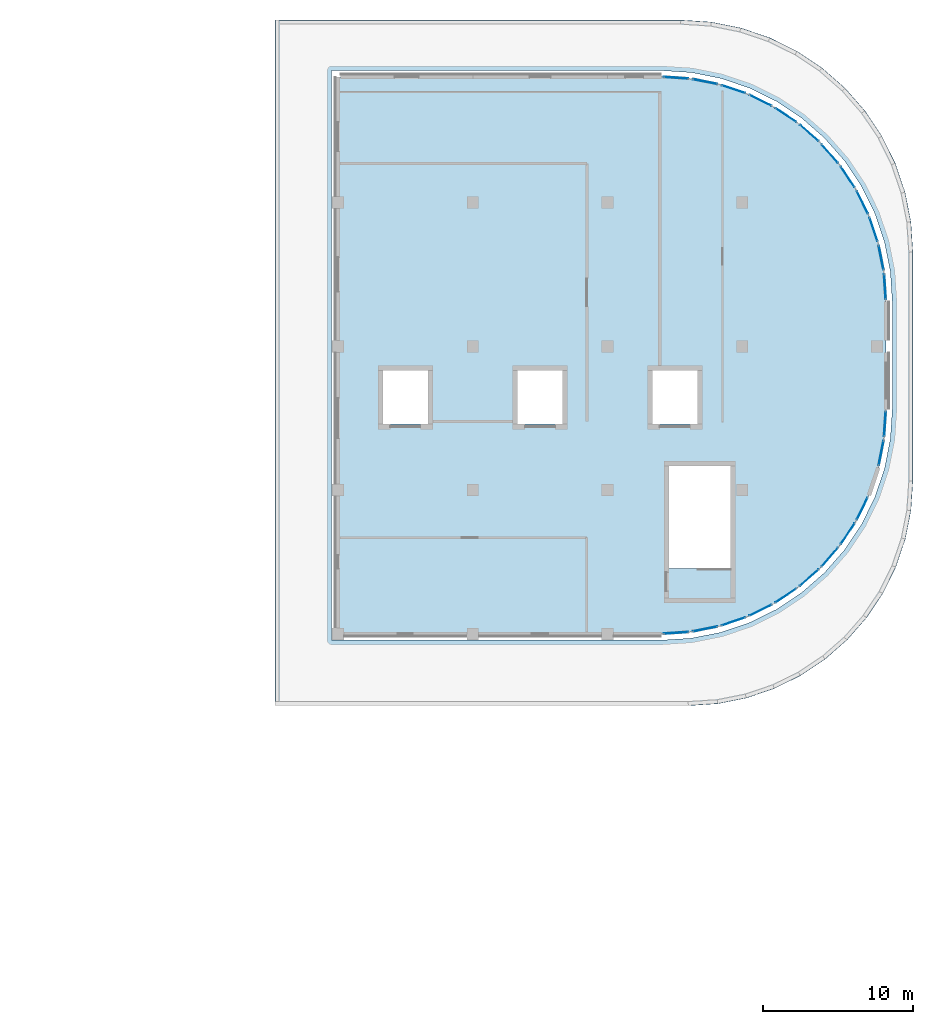
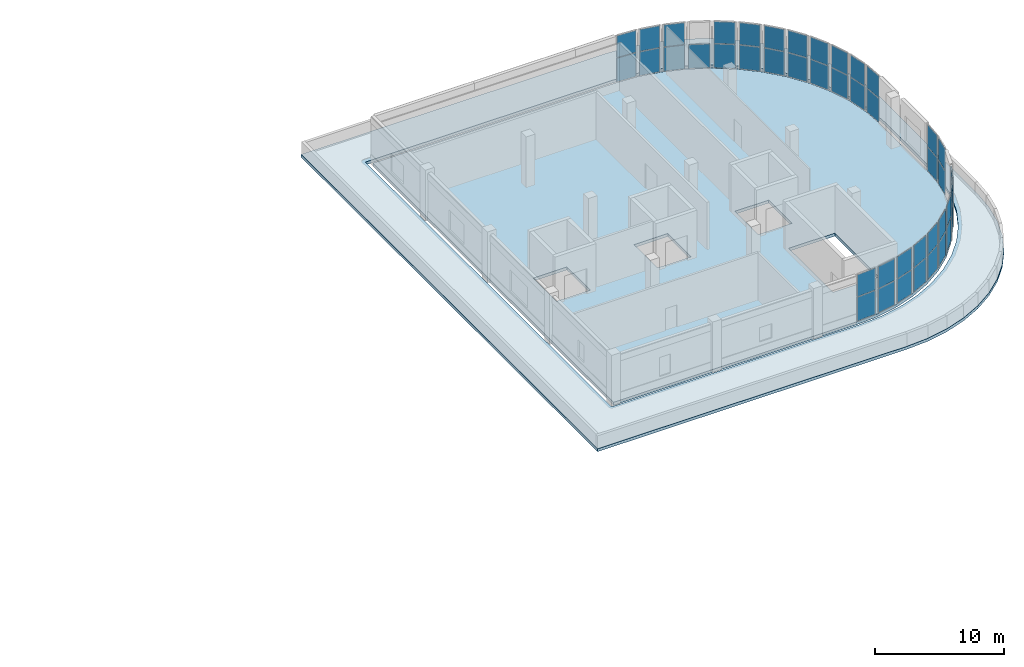
# One storey, part 19 of 33: 45 plates, 2 slabs, 23 elements without a shape of their own.
"""IFC4 building model written with IfcOpenShell, lengths in metres."""

from ifc_helpers import new_model, si_unit, direction, frame, origin, origin_2d, place, context, subcontext, project, spatial, polyline, rectangle, outline, extrude, material, layer, layer_set, type_object, element, aggregate, save


model = new_model("IFC4")

# Units and contexts
model_context = context("Model", 3, precision=1e-05, world=origin(), true_north=direction((0.0, 1.0)))
body_context = subcontext(model_context, "Body", "Model", "MODEL_VIEW")
ifc_project = project(units=[si_unit("LENGTHUNIT", "METRE"), si_unit("AREAUNIT", "SQUARE_METRE"), si_unit("VOLUMEUNIT", "CUBIC_METRE"), si_unit("PLANEANGLEUNIT", "RADIAN"), si_unit("MASSUNIT", "GRAM", prefix="KILO")], contexts=[model_context])

# Site, building, storey
site_placement = place(None, origin())
site = spatial("IfcSite", under=ifc_project, at=site_placement, CompositionType="ELEMENT")
building_placement = place(site_placement, origin())
building = spatial("IfcBuilding", under=site, at=building_placement, Name="Cendralis Terraced Arcade", CompositionType="ELEMENT")
storey_placement = place(building_placement, frame((0.0, 0.0, 19.800048828125)))
storey = spatial("IfcBuildingStorey", under=building, at=storey_placement, Name="L04", CompositionType="ELEMENT", Elevation=19.800048828125)

# Curtain wall, plates
ifc_material_1 = material(Name="Anodised aluminium EN AW-6063 T6", Category="aluminium")
ifc_layer_1 = layer(ifc_material_1, 0.179931640625, Name="CW-UNIT-A")
ifc_layer_set_1 = layer_set([ifc_layer_1], Name="Anodised aluminium EN AW-6063 T6")
curtain_wall_type = type_object("IfcCurtainWallType", Name="CW-UNIT-A", PredefinedType="USERDEFINED", material=ifc_layer_set_1)
curtain_wall_1_placement = place(storey_placement, origin())
curtain_wall_1 = element("IfcCurtainWall", 1, at=curtain_wall_1_placement, inside=storey, type_object=curtain_wall_type, Name="Exterior Unitised Facade CW-L04-0314", ObjectType="UNITISED FACADE", PredefinedType="USERDEFINED")
ifc_material_2 = material(Name="Tempered solar control laminated glass", Category="glass")
ifc_layer_2 = layer(ifc_material_2, 0.035888671875, Name="CW-UNIT-A-PNL")
ifc_layer_set_2 = layer_set([ifc_layer_2], Name="Tempered solar control laminated glass")
plate_type = type_object("IfcPlateType", Name="CW-UNIT-A-PNL", PredefinedType="CURTAIN_PANEL", material=ifc_layer_set_2)
plate_1_placement = place(storey_placement, frame((152.779052734375, 106.73583984375, 0.06494140625), z_axis=(0.0, 0.0, 1.0), x_axis=(0.997860971336, -0.065371873798, 0.0)))
plate_1 = element("IfcPlate", 2, at=plate_1_placement, type_object=plate_type, Name="CW-U1 panel 1.1", PredefinedType="CURTAIN_PANEL", context=body_context, shape_type="SweptSolid", body=[
    extrude(rectangle(XDim=1.652099609375, YDim=0.035888671875, at=origin_2d()), origin(), (0.0, 0.0, 1.0), 2.232177734375),
])
plate_2_placement = place(storey_placement, frame((152.779052734375, 106.73583984375, 2.36181640625), z_axis=(0.0, 0.0, 1.0), x_axis=(0.997860971336, -0.065371873798, 0.0)))
plate_2 = element("IfcPlate", 3, at=plate_2_placement, type_object=plate_type, Name="CW-U1 panel 1.2", PredefinedType="CURTAIN_PANEL", context=body_context, shape_type="SweptSolid", body=[
    extrude(rectangle(XDim=1.652099609375, YDim=0.035888671875, at=origin_2d()), origin(), (0.0, 0.0, 1.0), 2.052978515625),
])
aggregate(curtain_wall_1, [plate_1, plate_2])

curtain_wall_2_placement = place(storey_placement, origin())
curtain_wall_2 = element("IfcCurtainWall", 4, at=curtain_wall_2_placement, inside=storey, type_object=curtain_wall_type, Name="Exterior Unitised Facade CW-L04-0315", ObjectType="UNITISED FACADE", PredefinedType="USERDEFINED")
plate_3_placement = place(storey_placement, frame((154.72021484375, 106.480224609375, 0.06494140625), z_axis=(0.0, 0.0, 1.0), x_axis=(0.980791618721, -0.195058454434, 0.0)))
plate_3 = element("IfcPlate", 5, at=plate_3_placement, type_object=plate_type, Name="CW-U1 panel 1.1", PredefinedType="CURTAIN_PANEL", context=body_context, shape_type="SweptSolid", body=[
    extrude(rectangle(XDim=1.652099609375, YDim=0.035888671875, at=origin_2d()), origin(), (0.0, 0.0, 1.0), 2.232177734375),
])
plate_4_placement = place(storey_placement, frame((154.72021484375, 106.480224609375, 2.36181640625), z_axis=(0.0, 0.0, 1.0), x_axis=(0.980791618721, -0.195058454434, 0.0)))
plate_4 = element("IfcPlate", 6, at=plate_4_placement, type_object=plate_type, Name="CW-U1 panel 1.2", PredefinedType="CURTAIN_PANEL", context=body_context, shape_type="SweptSolid", body=[
    extrude(rectangle(XDim=1.652099609375, YDim=0.035888671875, at=origin_2d()), origin(), (0.0, 0.0, 1.0), 2.052978515625),
])
aggregate(curtain_wall_2, [plate_3, plate_4])

curtain_wall_3_placement = place(storey_placement, origin())
curtain_wall_3 = element("IfcCurtainWall", 7, at=curtain_wall_3_placement, inside=storey, type_object=curtain_wall_type, Name="Exterior Unitised Facade CW-L04-0316", ObjectType="UNITISED FACADE", PredefinedType="USERDEFINED")
plate_5_placement = place(storey_placement, frame((156.611328125, 105.9736328125, 0.06494140625), z_axis=(0.0, 0.0, 1.0), x_axis=(0.946923811316, -0.321458077458, 0.0)))
plate_5 = element("IfcPlate", 8, at=plate_5_placement, type_object=plate_type, Name="CW-U1 panel 1.1", PredefinedType="CURTAIN_PANEL", context=body_context, shape_type="SweptSolid", body=[
    extrude(rectangle(XDim=1.652099609375, YDim=0.035888671875, at=origin_2d()), origin(), (0.0, 0.0, 1.0), 2.232177734375),
])
plate_6_placement = place(storey_placement, frame((156.611328125, 105.9736328125, 2.36181640625), z_axis=(0.0, 0.0, 1.0), x_axis=(0.946923811316, -0.321458077458, 0.0)))
plate_6 = element("IfcPlate", 9, at=plate_6_placement, type_object=plate_type, Name="CW-U1 panel 1.2", PredefinedType="CURTAIN_PANEL", context=body_context, shape_type="SweptSolid", body=[
    extrude(rectangle(XDim=1.652099609375, YDim=0.035888671875, at=origin_2d()), origin(), (0.0, 0.0, 1.0), 2.052978515625),
])
aggregate(curtain_wall_3, [plate_5, plate_6])

# Curtain wall, plate
curtain_wall_4_placement = place(storey_placement, origin())
curtain_wall_4 = element("IfcCurtainWall", 10, at=curtain_wall_4_placement, inside=storey, type_object=curtain_wall_type, Name="Exterior Unitised Facade CW-L04-0317", ObjectType="UNITISED FACADE", PredefinedType="USERDEFINED")
plate_7_placement = place(storey_placement, frame((158.420166015625, 105.224365234375, 0.06494140625), z_axis=(0.0, 0.0, 1.0), x_axis=(0.896871480419, -0.442291247495, 0.0)))
plate_7 = element("IfcPlate", 11, at=plate_7_placement, type_object=plate_type, Name="CW-U1 panel 1.1", PredefinedType="CURTAIN_PANEL", context=body_context, shape_type="SweptSolid", body=[
    extrude(rectangle(XDim=1.652099609375, YDim=0.035888671875, at=origin_2d()), origin(), (0.0, 0.0, 1.0), 2.232177734375),
])
aggregate(curtain_wall_4, [plate_7])

# Curtain wall, plates
curtain_wall_5_placement = place(storey_placement, origin())
curtain_wall_5 = element("IfcCurtainWall", 12, at=curtain_wall_5_placement, inside=storey, type_object=curtain_wall_type, Name="Exterior Unitised Facade CW-L04-0318", ObjectType="UNITISED FACADE", PredefinedType="USERDEFINED")
plate_8_placement = place(storey_placement, frame((160.11572265625, 104.245361328125, 0.06494140625), z_axis=(0.0, 0.0, 1.0), x_axis=(0.831471454125, -0.555567476528, 0.0)))
plate_8 = element("IfcPlate", 13, at=plate_8_placement, type_object=plate_type, Name="CW-U1 panel 1.1", PredefinedType="CURTAIN_PANEL", context=body_context, shape_type="SweptSolid", body=[
    extrude(rectangle(XDim=1.652099609375, YDim=0.035888671875, at=origin_2d()), origin(), (0.0, 0.0, 1.0), 2.232177734375),
])
plate_9_placement = place(storey_placement, frame((160.11572265625, 104.245361328125, 2.36181640625), z_axis=(0.0, 0.0, 1.0), x_axis=(0.831471454125, -0.555567476528, 0.0)))
plate_9 = element("IfcPlate", 14, at=plate_9_placement, type_object=plate_type, Name="CW-U1 panel 1.2", PredefinedType="CURTAIN_PANEL", context=body_context, shape_type="SweptSolid", body=[
    extrude(rectangle(XDim=1.652099609375, YDim=0.035888671875, at=origin_2d()), origin(), (0.0, 0.0, 1.0), 2.052978515625),
])
aggregate(curtain_wall_5, [plate_8, plate_9])

curtain_wall_6_placement = place(storey_placement, origin())
curtain_wall_6 = element("IfcCurtainWall", 15, at=curtain_wall_6_placement, inside=storey, type_object=curtain_wall_type, Name="Exterior Unitised Facade CW-L04-0319", ObjectType="UNITISED FACADE", PredefinedType="USERDEFINED")
plate_10_placement = place(storey_placement, frame((161.6689453125, 103.053466796875, 0.06494140625), z_axis=(0.0, 0.0, 1.0), x_axis=(0.751804497477, -0.659386076266, 0.0)))
plate_10 = element("IfcPlate", 16, at=plate_10_placement, type_object=plate_type, Name="CW-U1 panel 1.1", PredefinedType="CURTAIN_PANEL", context=body_context, shape_type="SweptSolid", body=[
    extrude(rectangle(XDim=1.652099609375, YDim=0.035888671875, at=origin_2d()), origin(), (0.0, 0.0, 1.0), 2.232177734375),
])
plate_11_placement = place(storey_placement, frame((161.6689453125, 103.053466796875, 2.36181640625), z_axis=(0.0, 0.0, 1.0), x_axis=(0.751804497477, -0.659386076266, 0.0)))
plate_11 = element("IfcPlate", 17, at=plate_11_placement, type_object=plate_type, Name="CW-U1 panel 1.2", PredefinedType="CURTAIN_PANEL", context=body_context, shape_type="SweptSolid", body=[
    extrude(rectangle(XDim=1.652099609375, YDim=0.035888671875, at=origin_2d()), origin(), (0.0, 0.0, 1.0), 2.052978515625),
])
aggregate(curtain_wall_6, [plate_10, plate_11])

curtain_wall_7_placement = place(storey_placement, origin())
curtain_wall_7 = element("IfcCurtainWall", 18, at=curtain_wall_7_placement, inside=storey, type_object=curtain_wall_type, Name="Exterior Unitised Facade CW-L04-0320", ObjectType="UNITISED FACADE", PredefinedType="USERDEFINED")
plate_12_placement = place(storey_placement, frame((163.053466796875, 101.6689453125, 0.06494140625), z_axis=(0.0, 0.0, 1.0), x_axis=(0.659386076266, -0.751804497477, 0.0)))
plate_12 = element("IfcPlate", 19, at=plate_12_placement, type_object=plate_type, Name="CW-U1 panel 1.1", PredefinedType="CURTAIN_PANEL", context=body_context, shape_type="SweptSolid", body=[
    extrude(rectangle(XDim=1.652099609375, YDim=0.035888671875, at=origin_2d()), origin(), (0.0, 0.0, 1.0), 2.232177734375),
])
plate_13_placement = place(storey_placement, frame((163.053466796875, 101.6689453125, 2.36181640625), z_axis=(0.0, 0.0, 1.0), x_axis=(0.659386076266, -0.751804497477, 0.0)))
plate_13 = element("IfcPlate", 20, at=plate_13_placement, type_object=plate_type, Name="CW-U1 panel 1.2", PredefinedType="CURTAIN_PANEL", context=body_context, shape_type="SweptSolid", body=[
    extrude(rectangle(XDim=1.652099609375, YDim=0.035888671875, at=origin_2d()), origin(), (0.0, 0.0, 1.0), 2.052978515625),
])
aggregate(curtain_wall_7, [plate_12, plate_13])

curtain_wall_8_placement = place(storey_placement, origin())
curtain_wall_8 = element("IfcCurtainWall", 21, at=curtain_wall_8_placement, inside=storey, type_object=curtain_wall_type, Name="Exterior Unitised Facade CW-L04-0321", ObjectType="UNITISED FACADE", PredefinedType="USERDEFINED")
plate_14_placement = place(storey_placement, frame((164.245361328125, 100.11572265625, 0.06494140625), z_axis=(0.0, 0.0, 1.0), x_axis=(0.555567476528, -0.831471454125, 0.0)))
plate_14 = element("IfcPlate", 22, at=plate_14_placement, type_object=plate_type, Name="CW-U1 panel 1.1", PredefinedType="CURTAIN_PANEL", context=body_context, shape_type="SweptSolid", body=[
    extrude(rectangle(XDim=1.652099609375, YDim=0.035888671875, at=origin_2d()), origin(), (0.0, 0.0, 1.0), 2.232177734375),
])
plate_15_placement = place(storey_placement, frame((164.245361328125, 100.11572265625, 2.36181640625), z_axis=(0.0, 0.0, 1.0), x_axis=(0.555567476528, -0.831471454125, 0.0)))
plate_15 = element("IfcPlate", 23, at=plate_15_placement, type_object=plate_type, Name="CW-U1 panel 1.2", PredefinedType="CURTAIN_PANEL", context=body_context, shape_type="SweptSolid", body=[
    extrude(rectangle(XDim=1.652099609375, YDim=0.035888671875, at=origin_2d()), origin(), (0.0, 0.0, 1.0), 2.052978515625),
])
aggregate(curtain_wall_8, [plate_14, plate_15])

curtain_wall_9_placement = place(storey_placement, origin())
curtain_wall_9 = element("IfcCurtainWall", 24, at=curtain_wall_9_placement, inside=storey, type_object=curtain_wall_type, Name="Exterior Unitised Facade CW-L04-0322", ObjectType="UNITISED FACADE", PredefinedType="USERDEFINED")
plate_16_placement = place(storey_placement, frame((165.224365234375, 98.420166015625, 0.06494140625), z_axis=(0.0, 0.0, 1.0), x_axis=(0.442291247495, -0.896871480419, 0.0)))
plate_16 = element("IfcPlate", 25, at=plate_16_placement, type_object=plate_type, Name="CW-U1 panel 1.1", PredefinedType="CURTAIN_PANEL", context=body_context, shape_type="SweptSolid", body=[
    extrude(rectangle(XDim=1.652099609375, YDim=0.035888671875, at=origin_2d()), origin(), (0.0, 0.0, 1.0), 2.232177734375),
])
plate_17_placement = place(storey_placement, frame((165.224365234375, 98.420166015625, 2.36181640625), z_axis=(0.0, 0.0, 1.0), x_axis=(0.442291247495, -0.896871480419, 0.0)))
plate_17 = element("IfcPlate", 26, at=plate_17_placement, type_object=plate_type, Name="CW-U1 panel 1.2", PredefinedType="CURTAIN_PANEL", context=body_context, shape_type="SweptSolid", body=[
    extrude(rectangle(XDim=1.652099609375, YDim=0.035888671875, at=origin_2d()), origin(), (0.0, 0.0, 1.0), 2.052978515625),
])
aggregate(curtain_wall_9, [plate_16, plate_17])

curtain_wall_10_placement = place(storey_placement, origin())
curtain_wall_10 = element("IfcCurtainWall", 27, at=curtain_wall_10_placement, inside=storey, type_object=curtain_wall_type, Name="Exterior Unitised Facade CW-L04-0323", ObjectType="UNITISED FACADE", PredefinedType="USERDEFINED")
plate_18_placement = place(storey_placement, frame((165.9736328125, 96.611328125, 0.06494140625), z_axis=(0.0, 0.0, 1.0), x_axis=(0.321458077458, -0.946923811316, 0.0)))
plate_18 = element("IfcPlate", 28, at=plate_18_placement, type_object=plate_type, Name="CW-U1 panel 1.1", PredefinedType="CURTAIN_PANEL", context=body_context, shape_type="SweptSolid", body=[
    extrude(rectangle(XDim=1.652099609375, YDim=0.035888671875, at=origin_2d()), origin(), (0.0, 0.0, 1.0), 2.232177734375),
])
plate_19_placement = place(storey_placement, frame((165.9736328125, 96.611328125, 2.36181640625), z_axis=(0.0, 0.0, 1.0), x_axis=(0.321458077458, -0.946923811316, 0.0)))
plate_19 = element("IfcPlate", 29, at=plate_19_placement, type_object=plate_type, Name="CW-U1 panel 1.2", PredefinedType="CURTAIN_PANEL", context=body_context, shape_type="SweptSolid", body=[
    extrude(rectangle(XDim=1.652099609375, YDim=0.035888671875, at=origin_2d()), origin(), (0.0, 0.0, 1.0), 2.052978515625),
])
aggregate(curtain_wall_10, [plate_18, plate_19])

curtain_wall_11_placement = place(storey_placement, origin())
curtain_wall_11 = element("IfcCurtainWall", 30, at=curtain_wall_11_placement, inside=storey, type_object=curtain_wall_type, Name="Exterior Unitised Facade CW-L04-0324", ObjectType="UNITISED FACADE", PredefinedType="USERDEFINED")
plate_20_placement = place(storey_placement, frame((166.480224609375, 94.72021484375, 0.06494140625), z_axis=(0.0, 0.0, 1.0), x_axis=(0.195058454434, -0.980791618721, 0.0)))
plate_20 = element("IfcPlate", 31, at=plate_20_placement, type_object=plate_type, Name="CW-U1 panel 1.1", PredefinedType="CURTAIN_PANEL", context=body_context, shape_type="SweptSolid", body=[
    extrude(rectangle(XDim=1.652099609375, YDim=0.035888671875, at=origin_2d()), origin(), (0.0, 0.0, 1.0), 2.232177734375),
])
plate_21_placement = place(storey_placement, frame((166.480224609375, 94.72021484375, 2.36181640625), z_axis=(0.0, 0.0, 1.0), x_axis=(0.195058454434, -0.980791618721, 0.0)))
plate_21 = element("IfcPlate", 32, at=plate_21_placement, type_object=plate_type, Name="CW-U1 panel 1.2", PredefinedType="CURTAIN_PANEL", context=body_context, shape_type="SweptSolid", body=[
    extrude(rectangle(XDim=1.652099609375, YDim=0.035888671875, at=origin_2d()), origin(), (0.0, 0.0, 1.0), 2.052978515625),
])
aggregate(curtain_wall_11, [plate_20, plate_21])

curtain_wall_12_placement = place(storey_placement, origin())
curtain_wall_12 = element("IfcCurtainWall", 33, at=curtain_wall_12_placement, inside=storey, type_object=curtain_wall_type, Name="Exterior Unitised Facade CW-L04-0325", ObjectType="UNITISED FACADE", PredefinedType="USERDEFINED")
plate_22_placement = place(storey_placement, frame((166.73583984375, 92.779052734375, 0.06494140625), z_axis=(0.0, 0.0, 1.0), x_axis=(0.065371873798, -0.997860971336, 0.0)))
plate_22 = element("IfcPlate", 34, at=plate_22_placement, type_object=plate_type, Name="CW-U1 panel 1.1", PredefinedType="CURTAIN_PANEL", context=body_context, shape_type="SweptSolid", body=[
    extrude(rectangle(XDim=1.652099609375, YDim=0.035888671875, at=origin_2d()), origin(), (0.0, 0.0, 1.0), 2.232177734375),
])
plate_23_placement = place(storey_placement, frame((166.73583984375, 92.779052734375, 2.36181640625), z_axis=(0.0, 0.0, 1.0), x_axis=(0.065371873798, -0.997860971336, 0.0)))
plate_23 = element("IfcPlate", 35, at=plate_23_placement, type_object=plate_type, Name="CW-U1 panel 1.2", PredefinedType="CURTAIN_PANEL", context=body_context, shape_type="SweptSolid", body=[
    extrude(rectangle(XDim=1.652099609375, YDim=0.035888671875, at=origin_2d()), origin(), (0.0, 0.0, 1.0), 2.052978515625),
])
aggregate(curtain_wall_12, [plate_22, plate_23])

curtain_wall_13_placement = place(storey_placement, origin())
curtain_wall_13 = element("IfcCurtainWall", 36, at=curtain_wall_13_placement, inside=storey, type_object=curtain_wall_type, Name="Exterior Unitised Facade CW-L04-0326", ObjectType="UNITISED FACADE", PredefinedType="USERDEFINED")
plate_24_placement = place(storey_placement, frame((166.73583984375, 83.62109375, 0.06494140625), z_axis=(0.0, 0.0, 1.0), x_axis=(-0.065371873798, -0.997860971336, 0.0)))
plate_24 = element("IfcPlate", 37, at=plate_24_placement, type_object=plate_type, Name="CW-U1 panel 1.1", PredefinedType="CURTAIN_PANEL", context=body_context, shape_type="SweptSolid", body=[
    extrude(rectangle(XDim=1.652099609375, YDim=0.035888671875, at=origin_2d()), origin(), (0.0, 0.0, 1.0), 2.232177734375),
])
plate_25_placement = place(storey_placement, frame((166.73583984375, 83.62109375, 2.36181640625), z_axis=(0.0, 0.0, 1.0), x_axis=(-0.065371873798, -0.997860971336, 0.0)))
plate_25 = element("IfcPlate", 38, at=plate_25_placement, type_object=plate_type, Name="CW-U1 panel 1.2", PredefinedType="CURTAIN_PANEL", context=body_context, shape_type="SweptSolid", body=[
    extrude(rectangle(XDim=1.652099609375, YDim=0.035888671875, at=origin_2d()), origin(), (0.0, 0.0, 1.0), 2.052978515625),
])
aggregate(curtain_wall_13, [plate_24, plate_25])

curtain_wall_14_placement = place(storey_placement, origin())
curtain_wall_14 = element("IfcCurtainWall", 39, at=curtain_wall_14_placement, inside=storey, type_object=curtain_wall_type, Name="Exterior Unitised Facade CW-L04-0327", ObjectType="UNITISED FACADE", PredefinedType="USERDEFINED")
plate_26_placement = place(storey_placement, frame((166.480224609375, 81.679931640625, 0.06494140625), z_axis=(0.0, 0.0, 1.0), x_axis=(-0.195058454434, -0.980791618721, 0.0)))
plate_26 = element("IfcPlate", 40, at=plate_26_placement, type_object=plate_type, Name="CW-U1 panel 1.1", PredefinedType="CURTAIN_PANEL", context=body_context, shape_type="SweptSolid", body=[
    extrude(rectangle(XDim=1.652099609375, YDim=0.035888671875, at=origin_2d()), origin(), (0.0, 0.0, 1.0), 2.232177734375),
])
plate_27_placement = place(storey_placement, frame((166.480224609375, 81.679931640625, 2.36181640625), z_axis=(0.0, 0.0, 1.0), x_axis=(-0.195058454434, -0.980791618721, 0.0)))
plate_27 = element("IfcPlate", 41, at=plate_27_placement, type_object=plate_type, Name="CW-U1 panel 1.2", PredefinedType="CURTAIN_PANEL", context=body_context, shape_type="SweptSolid", body=[
    extrude(rectangle(XDim=1.652099609375, YDim=0.035888671875, at=origin_2d()), origin(), (0.0, 0.0, 1.0), 2.052978515625),
])
aggregate(curtain_wall_14, [plate_26, plate_27])

curtain_wall_15_placement = place(storey_placement, origin())
curtain_wall_15 = element("IfcCurtainWall", 42, at=curtain_wall_15_placement, inside=storey, type_object=curtain_wall_type, Name="Exterior Unitised Facade CW-L04-0328", ObjectType="UNITISED FACADE", PredefinedType="USERDEFINED")
plate_28_placement = place(storey_placement, frame((165.218994140625, 77.968994140625, 0.06494140625), z_axis=(0.0, 0.0, 1.0), x_axis=(-0.442314423947, -0.896860050603, 0.0)))
plate_28 = element("IfcPlate", 43, at=plate_28_placement, type_object=plate_type, Name="CW-U1 panel 1.1", PredefinedType="CURTAIN_PANEL", context=body_context, shape_type="SweptSolid", body=[
    extrude(rectangle(XDim=1.627685546875, YDim=0.035888671875, at=origin_2d()), origin(), (0.0, 0.0, 1.0), 2.232177734375),
])
plate_29_placement = place(storey_placement, frame((165.218994140625, 77.968994140625, 2.36181640625), z_axis=(0.0, 0.0, 1.0), x_axis=(-0.442314423947, -0.896860050603, 0.0)))
plate_29 = element("IfcPlate", 44, at=plate_29_placement, type_object=plate_type, Name="CW-U1 panel 1.2", PredefinedType="CURTAIN_PANEL", context=body_context, shape_type="SweptSolid", body=[
    extrude(rectangle(XDim=1.627685546875, YDim=0.035888671875, at=origin_2d()), origin(), (0.0, 0.0, 1.0), 2.052978515625),
])
aggregate(curtain_wall_15, [plate_28, plate_29])

curtain_wall_16_placement = place(storey_placement, origin())
curtain_wall_16 = element("IfcCurtainWall", 45, at=curtain_wall_16_placement, inside=storey, type_object=curtain_wall_type, Name="Exterior Unitised Facade CW-L04-0329", ObjectType="UNITISED FACADE", PredefinedType="USERDEFINED")
plate_30_placement = place(storey_placement, frame((164.245361328125, 76.2841796875, 0.06494140625), z_axis=(0.0, 0.0, 1.0), x_axis=(-0.555567476528, -0.831471454125, 0.0)))
plate_30 = element("IfcPlate", 46, at=plate_30_placement, type_object=plate_type, Name="CW-U1 panel 1.1", PredefinedType="CURTAIN_PANEL", context=body_context, shape_type="SweptSolid", body=[
    extrude(rectangle(XDim=1.652099609375, YDim=0.035888671875, at=origin_2d()), origin(), (0.0, 0.0, 1.0), 2.232177734375),
])
plate_31_placement = place(storey_placement, frame((164.245361328125, 76.2841796875, 2.36181640625), z_axis=(0.0, 0.0, 1.0), x_axis=(-0.555567476528, -0.831471454125, 0.0)))
plate_31 = element("IfcPlate", 47, at=plate_31_placement, type_object=plate_type, Name="CW-U1 panel 1.2", PredefinedType="CURTAIN_PANEL", context=body_context, shape_type="SweptSolid", body=[
    extrude(rectangle(XDim=1.652099609375, YDim=0.035888671875, at=origin_2d()), origin(), (0.0, 0.0, 1.0), 2.052978515625),
])
aggregate(curtain_wall_16, [plate_30, plate_31])

curtain_wall_17_placement = place(storey_placement, origin())
curtain_wall_17 = element("IfcCurtainWall", 48, at=curtain_wall_17_placement, inside=storey, type_object=curtain_wall_type, Name="Exterior Unitised Facade CW-L04-0330", ObjectType="UNITISED FACADE", PredefinedType="USERDEFINED")
plate_32_placement = place(storey_placement, frame((163.053466796875, 74.73095703125, 0.06494140625), z_axis=(0.0, 0.0, 1.0), x_axis=(-0.659386076266, -0.751804497477, 0.0)))
plate_32 = element("IfcPlate", 49, at=plate_32_placement, type_object=plate_type, Name="CW-U1 panel 1.1", PredefinedType="CURTAIN_PANEL", context=body_context, shape_type="SweptSolid", body=[
    extrude(rectangle(XDim=1.652099609375, YDim=0.035888671875, at=origin_2d()), origin(), (0.0, 0.0, 1.0), 2.232177734375),
])
plate_33_placement = place(storey_placement, frame((163.053466796875, 74.73095703125, 2.36181640625), z_axis=(0.0, 0.0, 1.0), x_axis=(-0.659386076266, -0.751804497477, 0.0)))
plate_33 = element("IfcPlate", 50, at=plate_33_placement, type_object=plate_type, Name="CW-U1 panel 1.2", PredefinedType="CURTAIN_PANEL", context=body_context, shape_type="SweptSolid", body=[
    extrude(rectangle(XDim=1.652099609375, YDim=0.035888671875, at=origin_2d()), origin(), (0.0, 0.0, 1.0), 2.052978515625),
])
aggregate(curtain_wall_17, [plate_32, plate_33])

curtain_wall_18_placement = place(storey_placement, origin())
curtain_wall_18 = element("IfcCurtainWall", 51, at=curtain_wall_18_placement, inside=storey, type_object=curtain_wall_type, Name="Exterior Unitised Facade CW-L04-0331", ObjectType="UNITISED FACADE", PredefinedType="USERDEFINED")
plate_34_placement = place(storey_placement, frame((161.6689453125, 73.346435546875, 0.06494140625), z_axis=(0.0, 0.0, 1.0), x_axis=(-0.751804497477, -0.659386076266, 0.0)))
plate_34 = element("IfcPlate", 52, at=plate_34_placement, type_object=plate_type, Name="CW-U1 panel 1.1", PredefinedType="CURTAIN_PANEL", context=body_context, shape_type="SweptSolid", body=[
    extrude(rectangle(XDim=1.652099609375, YDim=0.035888671875, at=origin_2d()), origin(), (0.0, 0.0, 1.0), 2.232177734375),
])
plate_35_placement = place(storey_placement, frame((161.6689453125, 73.346435546875, 2.36181640625), z_axis=(0.0, 0.0, 1.0), x_axis=(-0.751804497477, -0.659386076266, 0.0)))
plate_35 = element("IfcPlate", 53, at=plate_35_placement, type_object=plate_type, Name="CW-U1 panel 1.2", PredefinedType="CURTAIN_PANEL", context=body_context, shape_type="SweptSolid", body=[
    extrude(rectangle(XDim=1.652099609375, YDim=0.035888671875, at=origin_2d()), origin(), (0.0, 0.0, 1.0), 2.052978515625),
])
aggregate(curtain_wall_18, [plate_34, plate_35])

curtain_wall_19_placement = place(storey_placement, origin())
curtain_wall_19 = element("IfcCurtainWall", 54, at=curtain_wall_19_placement, inside=storey, type_object=curtain_wall_type, Name="Exterior Unitised Facade CW-L04-0332", ObjectType="UNITISED FACADE", PredefinedType="USERDEFINED")
plate_36_placement = place(storey_placement, frame((160.11572265625, 72.154541015625, 0.06494140625), z_axis=(0.0, 0.0, 1.0), x_axis=(-0.831471454125, -0.555567476528, 0.0)))
plate_36 = element("IfcPlate", 55, at=plate_36_placement, type_object=plate_type, Name="CW-U1 panel 1.1", PredefinedType="CURTAIN_PANEL", context=body_context, shape_type="SweptSolid", body=[
    extrude(rectangle(XDim=1.652099609375, YDim=0.035888671875, at=origin_2d()), origin(), (0.0, 0.0, 1.0), 2.232177734375),
])
plate_37_placement = place(storey_placement, frame((160.11572265625, 72.154541015625, 2.36181640625), z_axis=(0.0, 0.0, 1.0), x_axis=(-0.831471454125, -0.555567476528, 0.0)))
plate_37 = element("IfcPlate", 56, at=plate_37_placement, type_object=plate_type, Name="CW-U1 panel 1.2", PredefinedType="CURTAIN_PANEL", context=body_context, shape_type="SweptSolid", body=[
    extrude(rectangle(XDim=1.652099609375, YDim=0.035888671875, at=origin_2d()), origin(), (0.0, 0.0, 1.0), 2.052978515625),
])
aggregate(curtain_wall_19, [plate_36, plate_37])

curtain_wall_20_placement = place(storey_placement, origin())
curtain_wall_20 = element("IfcCurtainWall", 57, at=curtain_wall_20_placement, inside=storey, type_object=curtain_wall_type, Name="Exterior Unitised Facade CW-L04-0333", ObjectType="UNITISED FACADE", PredefinedType="USERDEFINED")
plate_38_placement = place(storey_placement, frame((158.420166015625, 71.17578125, 0.06494140625), z_axis=(0.0, 0.0, 1.0), x_axis=(-0.896871480419, -0.442291247495, 0.0)))
plate_38 = element("IfcPlate", 58, at=plate_38_placement, type_object=plate_type, Name="CW-U1 panel 1.1", PredefinedType="CURTAIN_PANEL", context=body_context, shape_type="SweptSolid", body=[
    extrude(rectangle(XDim=1.652099609375, YDim=0.035888671875, at=origin_2d()), origin(), (0.0, 0.0, 1.0), 2.232177734375),
])
plate_39_placement = place(storey_placement, frame((158.420166015625, 71.17578125, 2.36181640625), z_axis=(0.0, 0.0, 1.0), x_axis=(-0.896871480419, -0.442291247495, 0.0)))
plate_39 = element("IfcPlate", 59, at=plate_39_placement, type_object=plate_type, Name="CW-U1 panel 1.2", PredefinedType="CURTAIN_PANEL", context=body_context, shape_type="SweptSolid", body=[
    extrude(rectangle(XDim=1.652099609375, YDim=0.035888671875, at=origin_2d()), origin(), (0.0, 0.0, 1.0), 2.052978515625),
])
aggregate(curtain_wall_20, [plate_38, plate_39])

curtain_wall_21_placement = place(storey_placement, origin())
curtain_wall_21 = element("IfcCurtainWall", 60, at=curtain_wall_21_placement, inside=storey, type_object=curtain_wall_type, Name="Exterior Unitised Facade CW-L04-0334", ObjectType="UNITISED FACADE", PredefinedType="USERDEFINED")
plate_40_placement = place(storey_placement, frame((156.611328125, 70.426513671875, 0.06494140625), z_axis=(0.0, 0.0, 1.0), x_axis=(-0.946923811316, -0.321458077458, 0.0)))
plate_40 = element("IfcPlate", 61, at=plate_40_placement, type_object=plate_type, Name="CW-U1 panel 1.1", PredefinedType="CURTAIN_PANEL", context=body_context, shape_type="SweptSolid", body=[
    extrude(rectangle(XDim=1.652099609375, YDim=0.035888671875, at=origin_2d()), origin(), (0.0, 0.0, 1.0), 2.232177734375),
])
plate_41_placement = place(storey_placement, frame((156.611328125, 70.426513671875, 2.36181640625), z_axis=(0.0, 0.0, 1.0), x_axis=(-0.946923811316, -0.321458077458, 0.0)))
plate_41 = element("IfcPlate", 62, at=plate_41_placement, type_object=plate_type, Name="CW-U1 panel 1.2", PredefinedType="CURTAIN_PANEL", context=body_context, shape_type="SweptSolid", body=[
    extrude(rectangle(XDim=1.652099609375, YDim=0.035888671875, at=origin_2d()), origin(), (0.0, 0.0, 1.0), 2.052978515625),
])
aggregate(curtain_wall_21, [plate_40, plate_41])

curtain_wall_22_placement = place(storey_placement, origin())
curtain_wall_22 = element("IfcCurtainWall", 63, at=curtain_wall_22_placement, inside=storey, type_object=curtain_wall_type, Name="Exterior Unitised Facade CW-L04-0335", ObjectType="UNITISED FACADE", PredefinedType="USERDEFINED")
plate_42_placement = place(storey_placement, frame((154.72021484375, 69.919677734375, 0.06494140625), z_axis=(0.0, 0.0, 1.0), x_axis=(-0.980791618721, -0.195058454434, 0.0)))
plate_42 = element("IfcPlate", 64, at=plate_42_placement, type_object=plate_type, Name="CW-U1 panel 1.1", PredefinedType="CURTAIN_PANEL", context=body_context, shape_type="SweptSolid", body=[
    extrude(rectangle(XDim=1.652099609375, YDim=0.035888671875, at=origin_2d()), origin(), (0.0, 0.0, 1.0), 2.232177734375),
])
plate_43_placement = place(storey_placement, frame((154.72021484375, 69.919677734375, 2.36181640625), z_axis=(0.0, 0.0, 1.0), x_axis=(-0.980791618721, -0.195058454434, 0.0)))
plate_43 = element("IfcPlate", 65, at=plate_43_placement, type_object=plate_type, Name="CW-U1 panel 1.2", PredefinedType="CURTAIN_PANEL", context=body_context, shape_type="SweptSolid", body=[
    extrude(rectangle(XDim=1.652099609375, YDim=0.035888671875, at=origin_2d()), origin(), (0.0, 0.0, 1.0), 2.052978515625),
])
aggregate(curtain_wall_22, [plate_42, plate_43])

curtain_wall_23_placement = place(storey_placement, origin())
curtain_wall_23 = element("IfcCurtainWall", 66, at=curtain_wall_23_placement, inside=storey, type_object=curtain_wall_type, Name="Exterior Unitised Facade CW-L04-0336", ObjectType="UNITISED FACADE", PredefinedType="USERDEFINED")
plate_44_placement = place(storey_placement, frame((152.779052734375, 69.6640625, 0.06494140625), z_axis=(0.0, 0.0, 1.0), x_axis=(-0.997860971336, -0.065371873798, 0.0)))
plate_44 = element("IfcPlate", 67, at=plate_44_placement, type_object=plate_type, Name="CW-U1 panel 1.1", PredefinedType="CURTAIN_PANEL", context=body_context, shape_type="SweptSolid", body=[
    extrude(rectangle(XDim=1.652099609375, YDim=0.035888671875, at=origin_2d()), origin(), (0.0, 0.0, 1.0), 2.232177734375),
])
plate_45_placement = place(storey_placement, frame((152.779052734375, 69.6640625, 2.36181640625), z_axis=(0.0, 0.0, 1.0), x_axis=(-0.997860971336, -0.065371873798, 0.0)))
plate_45 = element("IfcPlate", 68, at=plate_45_placement, type_object=plate_type, Name="CW-U1 panel 1.2", PredefinedType="CURTAIN_PANEL", context=body_context, shape_type="SweptSolid", body=[
    extrude(rectangle(XDim=1.652099609375, YDim=0.035888671875, at=origin_2d()), origin(), (0.0, 0.0, 1.0), 2.052978515625),
])
aggregate(curtain_wall_23, [plate_44, plate_45])

# Slabs
ifc_material_3 = material(Name="Concrete f'c 35 MPa", Category="concrete")
ifc_layer_3 = layer(ifc_material_3, 0.280029296875, Name="SLB-L04-280")
ifc_layer_set_3 = layer_set([ifc_layer_3], Name="Concrete f'c 35 MPa")
slab_type_1 = type_object("IfcSlabType", Name="SLB-L04-280", PredefinedType="FLOOR", material=ifc_layer_set_3)
slab_1_placement = place(storey_placement, frame((0.0, 0.0, -0.280029296875)))
element("IfcSlab", 69, at=slab_1_placement, inside=storey, type_object=slab_type_1, Name="Reinforced Concrete Floor Slab SLB-L04-V5-E1-1", PredefinedType="FLOOR", context=body_context, shape_type="SweptSolid", body=[
    extrude(outline(polyline([(153.7578125, 106.671630859375), (155.682373046875, 106.288818359375), (157.540283203125, 105.658203125), (159.300048828125, 104.790283203125), (160.931396484375, 103.7001953125), (162.406494140625, 102.406494140625), (163.7001953125, 100.931396484375), (164.790283203125, 99.300048828125), (165.658203125, 97.540283203125), (166.288818359375, 95.682373046875), (166.671630859375, 93.7578125), (166.800048828125, 91.800048828125), (166.800048828125, 84.60009765625), (166.671630859375, 82.64208984375), (166.288818359375, 80.7177734375), (165.658203125, 78.859619140625), (164.790283203125, 77.10009765625), (163.7001953125, 75.468505859375), (162.406494140625, 73.993408203125), (160.931396484375, 72.69970703125), (159.300048828125, 71.609619140625), (157.540283203125, 70.74169921875), (155.682373046875, 70.111083984375), (153.7578125, 69.728271484375), (151.800048828125, 69.60009765625), (130.199951171875, 69.60009765625), (130.199951171875, 106.800048828125), (151.800048828125, 106.800048828125), (153.7578125, 106.671630859375)]), holes=[polyline([(152.300048828125, 80.800048828125), (152.300048828125, 73.97998046875), (156.39990234375, 73.97998046875), (156.39990234375, 80.800048828125), (152.300048828125, 80.800048828125)]), polyline([(133.199951171875, 87.199951171875), (133.199951171875, 83.60009765625), (136.199951171875, 83.60009765625), (136.199951171875, 87.199951171875), (133.199951171875, 87.199951171875)]), polyline([(145.199951171875, 87.199951171875), (142.199951171875, 87.199951171875), (142.199951171875, 83.60009765625), (145.199951171875, 83.60009765625), (145.199951171875, 87.199951171875)]), polyline([(154.199951171875, 87.199951171875), (151.199951171875, 87.199951171875), (151.199951171875, 83.60009765625), (154.199951171875, 83.60009765625), (154.199951171875, 87.199951171875)])]), origin(), (0.0, 0.0, 1.0), 0.280029296875),
])
ifc_layer_4 = layer(ifc_material_3, 0.27490234375, Name="SLB-ROOF-275")
ifc_layer_set_4 = layer_set([ifc_layer_4], Name="Concrete f'c 35 MPa")
slab_type_2 = type_object("IfcSlabType", Name="SLB-ROOF-275", PredefinedType="ROOF", material=ifc_layer_set_4)
slab_2_placement = place(storey_placement, frame((0.0, 0.0, -0.275146484375)))
element("IfcSlab", 70, at=slab_2_placement, inside=storey, type_object=slab_type_2, Name="Insulated Flat Concrete Roof Slab ROOF-FLAT-L04-1", PredefinedType="ROOF", context=body_context, shape_type="SweptSolid", body=[
    extrude(outline(polyline([(159.031494140625, 109.420166015625), (160.85009765625, 108.5234375), (162.535888671875, 107.39697265625), (164.060302734375, 106.060302734375), (165.39697265625, 104.535888671875), (166.5234375, 102.85009765625), (167.420166015625, 101.031494140625), (168.072021484375, 99.11181640625), (168.46728515625, 97.123291015625), (168.60009765625, 95.10009765625), (168.60009765625, 79.800048828125), (168.4716796875, 77.842041015625), (168.0888671875, 75.917724609375), (167.458251953125, 74.059814453125), (166.59033203125, 72.300048828125), (165.500244140625, 70.668701171875), (164.20654296875, 69.193359375), (162.7314453125, 67.899658203125), (161.10009765625, 66.8095703125), (159.34033203125, 65.94189453125), (157.482421875, 65.31103515625), (155.557861328125, 64.92822265625), (153.60009765625, 64.800048828125), (126.0, 64.800048828125), (126.0, 110.60009765625), (153.10009765625, 110.60009765625), (155.123291015625, 110.46728515625), (157.11181640625, 110.072021484375), (159.031494140625, 109.420166015625)]), holes=[polyline([(151.813720703125, 69.179931640625), (153.812744140625, 69.31103515625), (155.791259765625, 69.70458984375), (157.701416015625, 70.352783203125), (159.510498046875, 71.2451171875), (161.1875, 72.36572265625), (162.7041015625, 73.69580078125), (164.0341796875, 75.21240234375), (165.15478515625, 76.889404296875), (166.047119140625, 78.698486328125), (166.695556640625, 80.60888671875), (167.089111328125, 82.587158203125), (167.219970703125, 84.586181640625), (167.219970703125, 91.813720703125), (167.089111328125, 93.812744140625), (166.695556640625, 95.791259765625), (166.047119140625, 97.701416015625), (165.15478515625, 99.510498046875), (164.0341796875, 101.1875), (162.7041015625, 102.7041015625), (161.1875, 104.0341796875), (159.510498046875, 105.15478515625), (157.701416015625, 106.047119140625), (155.791259765625, 106.695556640625), (153.812744140625, 107.089111328125), (151.813720703125, 107.219970703125), (129.780029296875, 107.219970703125), (129.780029296875, 69.179931640625), (151.813720703125, 69.179931640625)])]), origin(), (0.0, 0.0, 1.0), 0.275146484375),
])

save(model, "model.ifc")
